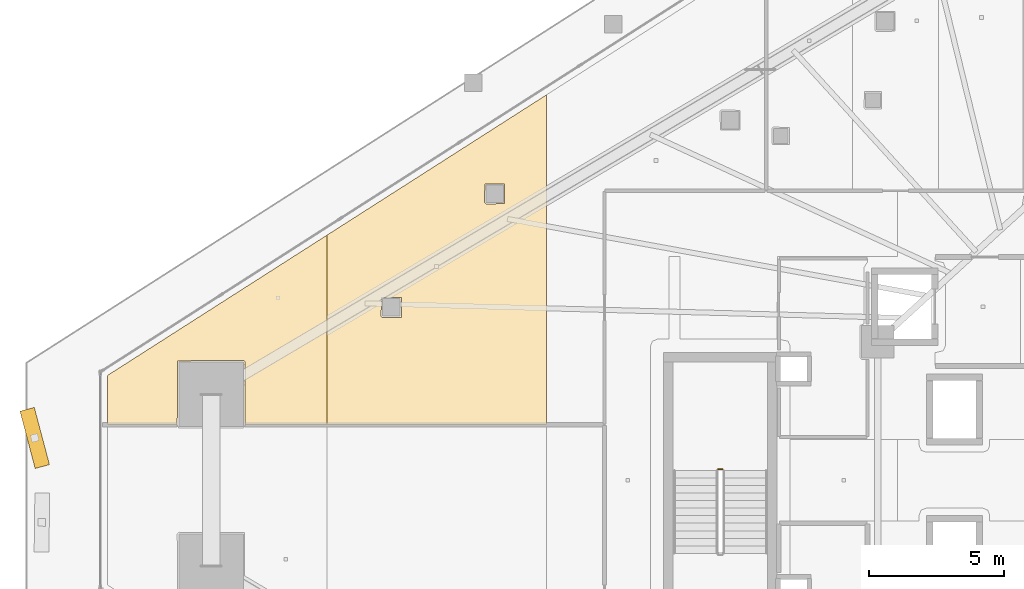
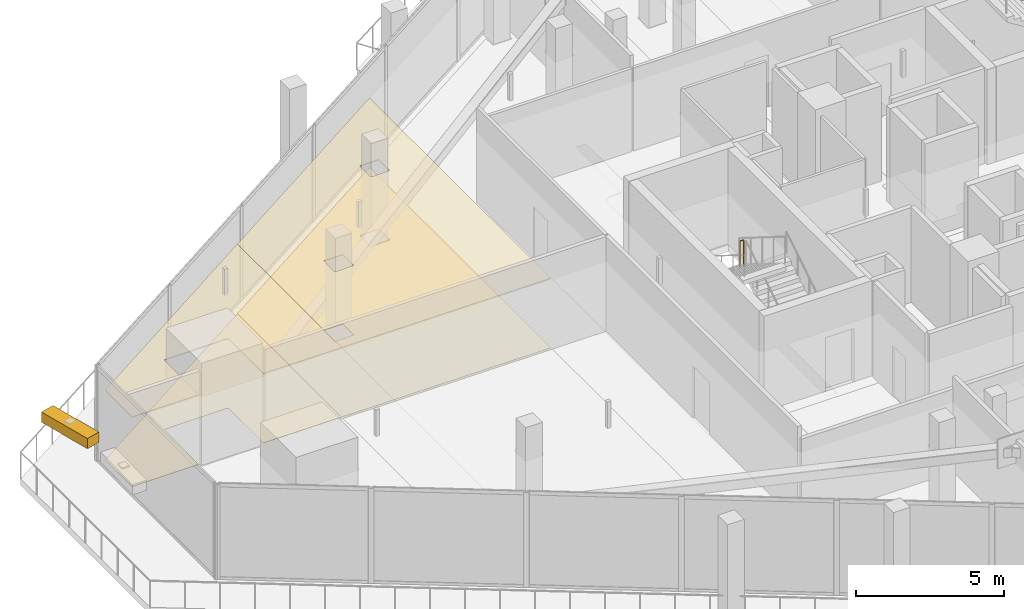
# One storey, part 43 of 47: 4 coverings, 1 railing, 1 shading device.
"""IFC4 building model written with IfcOpenShell, lengths in metres."""

from ifc_helpers import new_model, si_unit, direction, frame, origin, origin_2d, place, context, subcontext, project, spatial, polyline, rectangle, circle, outline, extrude, material, layer, layer_set, type_object, element, save


model = new_model("IFC4")

# Units and contexts
model_context = context("Model", 3, precision=1e-05, world=origin(), true_north=direction((0.0, 1.0)))
body_context = subcontext(model_context, "Body", "Model", "MODEL_VIEW")
ifc_project = project(units=[si_unit("LENGTHUNIT", "METRE"), si_unit("AREAUNIT", "SQUARE_METRE"), si_unit("VOLUMEUNIT", "CUBIC_METRE"), si_unit("PLANEANGLEUNIT", "RADIAN"), si_unit("MASSUNIT", "GRAM", prefix="KILO")], contexts=[model_context])

# Site, building, storey
site_placement = place(None, origin())
site = spatial("IfcSite", under=ifc_project, at=site_placement, CompositionType="ELEMENT")
building_placement = place(site_placement, origin())
building = spatial("IfcBuilding", under=site, at=building_placement, Name="Qorvath Tower", CompositionType="ELEMENT")
storey_placement = place(building_placement, frame((0.0, 0.0, 74.39990234375)))
storey = spatial("IfcBuildingStorey", under=building, at=storey_placement, Name="L16", CompositionType="ELEMENT", Elevation=74.39990234375)

# Coverings
ifc_material_1 = material(Name="Acoustic mineral fibre ceiling tile", Category="gypsum")
ifc_layer_1 = layer(ifc_material_1, 0.030029296875)
ifc_layer_set_1 = layer_set([ifc_layer_1], Name="COV-CEIL")
covering_type_1 = type_object("IfcCoveringType", Name="COV-CEIL", PredefinedType="CEILING", material=ifc_layer_set_1)
covering_1_placement = place(storey_placement, frame((0.0, 0.0, 2.85009765625)))
element("IfcCovering", 1, at=covering_1_placement, inside=storey, type_object=covering_type_1, Name="L16 Suspended Acoustic Ceiling 038", PredefinedType="CEILING", context=body_context, shape_type="SweptSolid", body=[
    extrude(outline(polyline([(-50.9814453125, 2.074951171875), (-50.9814453125, 9.105712890625), (-59.140625, 3.890869140625), (-59.140625, 2.074951171875), (-56.54296875, 2.074951171875), (-56.525390625, 4.43701171875), (-54.0830078125, 4.45458984375), (-54.02294921875, 4.39453125), (-54.02294921875, 2.074951171875), (-50.9814453125, 2.074951171875)])), origin(), (0.0, 0.0, 1.0), 0.030029296875),
])
covering_2_placement = place(storey_placement, frame((0.0, 0.0, 2.85009765625)))
element("IfcCovering", 2, at=covering_2_placement, inside=storey, type_object=covering_type_1, Name="L16 Suspended Acoustic Ceiling 039", PredefinedType="CEILING", context=body_context, shape_type="SweptSolid", body=[
    extrude(outline(polyline([(-42.822265625, 2.074951171875), (-42.822265625, 14.320556640625), (-50.9814453125, 9.105712890625), (-50.9814453125, 2.074951171875), (-42.822265625, 2.074951171875)]), holes=[polyline([(-45.121337890625, 10.327392578125), (-45.103759765625, 11.019775390625), (-44.368896484375, 11.019775390625), (-44.368896484375, 10.284912109375), (-45.061279296875, 10.267333984375), (-45.121337890625, 10.327392578125)]), polyline([(-48.96337890625, 6.099609375), (-48.94580078125, 6.7919921875), (-48.2109375, 6.7919921875), (-48.2109375, 6.05712890625), (-48.9033203125, 6.03955078125), (-48.96337890625, 6.099609375)])]), origin(), (0.0, 0.0, 1.0), 0.030029296875),
])
ifc_material_2 = material(Name="Low-VOC modular carpet tile", Category="textile")
ifc_layer_2 = layer(ifc_material_2, 0.014892578125)
ifc_layer_set_2 = layer_set([ifc_layer_2], Name="COV-FLOOR-CPT")
covering_type_2 = type_object("IfcCoveringType", Name="COV-FLOOR-CPT", PredefinedType="FLOORING", material=ifc_layer_set_2)
covering_3_placement = place(storey_placement, origin())
element("IfcCovering", 3, at=covering_3_placement, inside=storey, type_object=covering_type_2, Name="L16 Floor Finish 038", PredefinedType="FLOORING", context=body_context, shape_type="SweptSolid", body=[
    extrude(outline(polyline([(-50.9814453125, 2.074951171875), (-50.9814453125, 9.105712890625), (-59.140625, 3.890869140625), (-59.140625, 2.074951171875), (-56.54296875, 2.074951171875), (-56.525390625, 4.43701171875), (-54.0830078125, 4.45458984375), (-54.02294921875, 4.39453125), (-54.02294921875, 2.074951171875), (-50.9814453125, 2.074951171875)])), origin(), (0.0, 0.0, 1.0), 0.01513671875),
])
covering_4_placement = place(storey_placement, origin())
element("IfcCovering", 4, at=covering_4_placement, inside=storey, type_object=covering_type_2, Name="L16 Floor Finish 039", PredefinedType="FLOORING", context=body_context, shape_type="SweptSolid", body=[
    extrude(outline(polyline([(-42.822265625, 2.074951171875), (-42.822265625, 14.320556640625), (-50.9814453125, 9.105712890625), (-50.9814453125, 2.074951171875), (-42.822265625, 2.074951171875)]), holes=[polyline([(-45.121337890625, 10.327392578125), (-45.103759765625, 11.019775390625), (-44.368896484375, 11.019775390625), (-44.368896484375, 10.284912109375), (-45.061279296875, 10.267333984375), (-45.121337890625, 10.327392578125)]), polyline([(-48.96337890625, 6.099609375), (-48.94580078125, 6.7919921875), (-48.2109375, 6.7919921875), (-48.2109375, 6.05712890625), (-48.9033203125, 6.03955078125), (-48.96337890625, 6.099609375)])]), origin(), (0.0, 0.0, 1.0), 0.01513671875),
])

# Railing
ifc_material_3 = material(Name="Painted galvanised steel", Category="steel")
railing_type = type_object("IfcRailingType", Name="RL-STR-GRD", PredefinedType="GUARDRAIL", material=ifc_material_3)
railing_placement = place(storey_placement, frame((-36.280029296875, 0.409912109375, 2.10009765625)))
element("IfcRailing", 5, at=railing_placement, inside=storey, type_object=railing_type, Name="L16 TS3 stair guard 2", PredefinedType="GUARDRAIL", context=body_context, shape_type="SweptSolid", body=[
    extrude(circle(Radius=0.02392578125, at=origin_2d()), frame((0.0, 0.0, 1.076171875), z_axis=(-1.0, 0.0, 0.0), x_axis=(0.0, -1.0, 0.0)), (0.0, 0.0, 1.0), 0.14990234375),
    extrude(circle(Radius=0.02099609375, at=origin_2d()), origin(), (0.0, 0.0, 1.0), 1.052001953125),
    extrude(circle(Radius=0.02099609375, at=origin_2d()), frame((-0.14990234375, 0.0, 0.0)), (0.0, 0.0, 1.0), 1.052001953125),
])

# Shading device
ifc_material_4 = material(Name="Anodised bronze-champagne aluminium", Category="aluminium")
shading_device_type = type_object("IfcShadingDeviceType", Name="SD-LOUVRE", PredefinedType="JALOUSIE", material=ifc_material_4)
shading_device_placement = place(storey_placement, frame((-61.839111328125, 1.571044921875, 3.500244140625), z_axis=(0.0, 0.0, 1.0), x_axis=(0.256216829888, -0.966619333596, 0.0)))
element("IfcShadingDevice", 6, at=shading_device_placement, inside=storey, type_object=shading_device_type, Name="Sinusoidal Wave Louvre Blade L16-01", PredefinedType="NOTDEFINED", context=body_context, shape_type="SweptSolid", body=[
    extrude(rectangle(XDim=2.199951171875, YDim=0.550048828125, at=origin_2d()), origin(), (0.0, 0.0, 1.0), 0.419921875),
])

save(model, "model.ifc")
